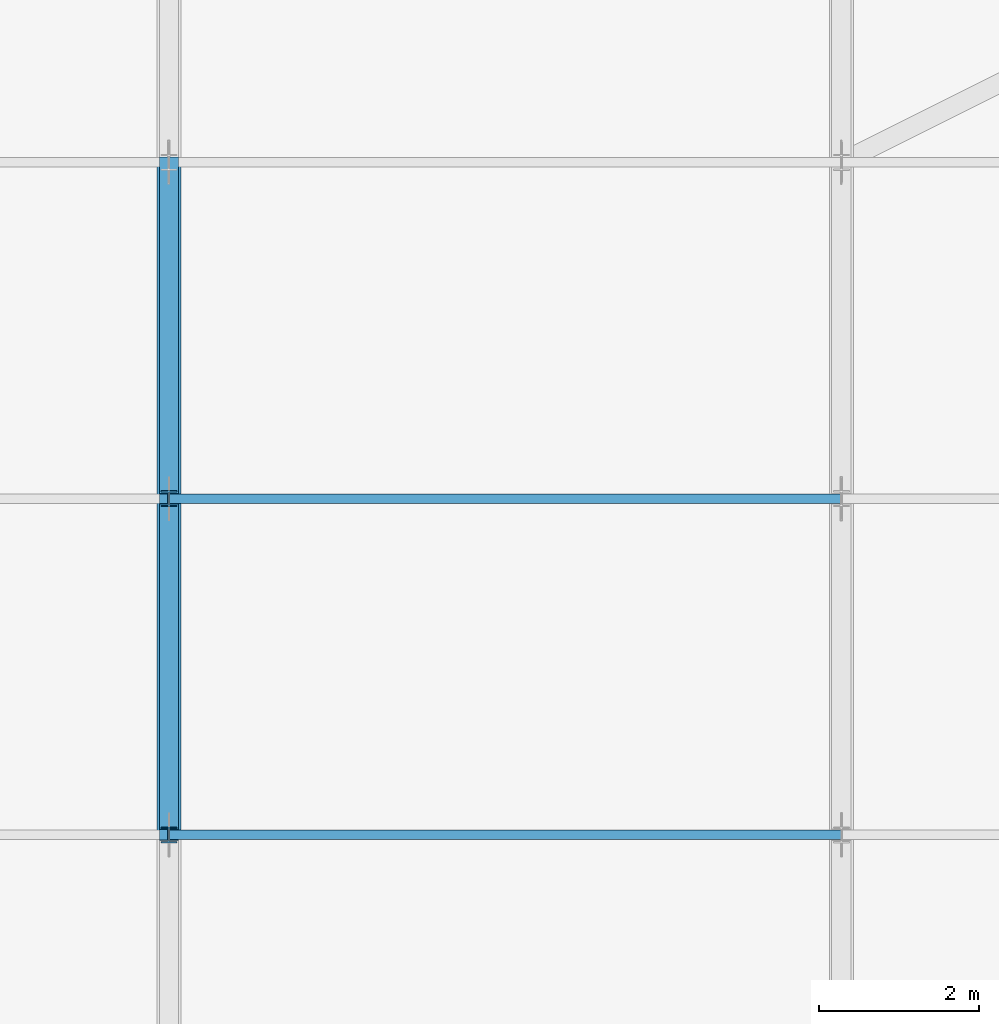
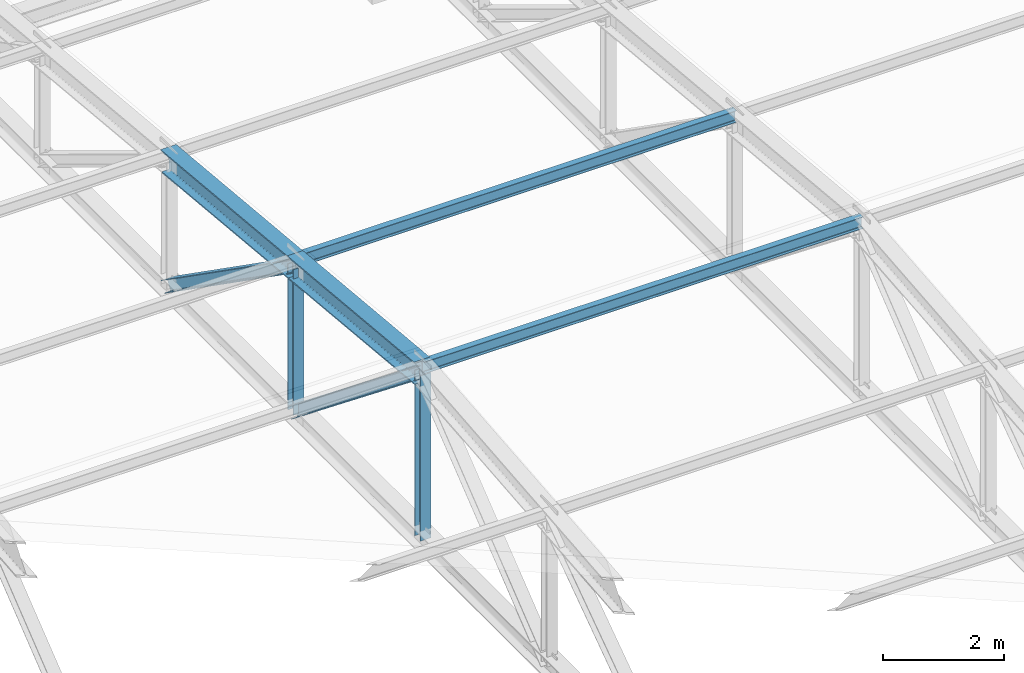
# One storey, part 22 of 74: 6 members, 2 beams.
"""IFC4 building model written with IfcOpenShell, lengths in metres."""

from ifc_helpers import new_model, si_unit, derived_unit, direction, frame, origin, origin_2d, place, context, subcontext, project, spatial, i_section, extrude, material, material_profile, profile_set, type_object, element, save


model = new_model("IFC4")

# Units and contexts
model_context = context("Model", 3, precision=1e-05, world=origin(), true_north=direction((0.0, 1.0)))
body_context = subcontext(model_context, "Body", "Model", "MODEL_VIEW")
ifc_project = project(units=[si_unit("LENGTHUNIT", "METRE"), si_unit("AREAUNIT", "SQUARE_METRE"), si_unit("VOLUMEUNIT", "CUBIC_METRE"), si_unit("PLANEANGLEUNIT", "RADIAN"), si_unit("MASSUNIT", "GRAM", prefix="KILO"), derived_unit("THERMALTRANSMITTANCEUNIT", [(si_unit("POWERUNIT", "WATT"), 1), (si_unit("LENGTHUNIT", "METRE"), -2), (si_unit("THERMODYNAMICTEMPERATUREUNIT", "KELVIN"), -1)])], contexts=[model_context])

# Site, building, storey
site_placement = place(None, origin())
site = spatial("IfcSite", under=ifc_project, at=site_placement, CompositionType="ELEMENT")
building_placement = place(site_placement, origin())
building = spatial("IfcBuilding", under=site, at=building_placement, Name="Elbkamm Science Centre", CompositionType="ELEMENT")
storey_placement = place(building_placement, frame((0.0, 0.0, 14.39990234375)))
storey = spatial("IfcBuildingStorey", under=building, at=storey_placement, Name="L03", CompositionType="ELEMENT", Elevation=14.39990234375)

# Beams
ifc_material = material(Name="Steel EN 10025-2 S355J2", Category="steel")
ifc_material_profile_1 = material_profile(ifc_material, i_section(OverallWidth=0.300048828125, OverallDepth=0.449951171875, WebThickness=0.013916015625, FlangeThickness=0.02587890625, FilletRadius=0.027099609375, at=origin_2d()), Name="HEB 450")
ifc_profile_set_1 = profile_set([ifc_material_profile_1], Name="Steel EN 10025-2 S355J2")
beam_type = type_object("IfcBeamType", Name="BM-STL-HEB450", PredefinedType="BEAM", material=ifc_profile_set_1)
for number, where, z_axis, x_axis, name in (
    (1, (100.800048828125, 16.800048828125, 4.7451171875), (0.0, 0.995562844443, -0.094099005119), (-1.0, 0.0, 0.0), "Theatre Steel Truss 05 Top Chord 5"),
    (2, (100.800048828125, 21.0, 4.34814453125), (0.0, 0.995562844443, -0.094099005119), (-1.0, 0.0, 0.0), "Theatre Steel Truss 05 Top Chord 6"),
):
    element("IfcBeam", number, at=place(storey_placement, frame(where, z_axis=z_axis, x_axis=x_axis)), inside=storey, type_object=beam_type, Name=name, PredefinedType="BEAM", context=body_context, shape_type="SweptSolid", body=[
        extrude(i_section(OverallWidth=0.300048828125, OverallDepth=0.449951171875, WebThickness=0.013916015625, FlangeThickness=0.02587890625, FilletRadius=0.027099609375, at=origin_2d()), origin(), (0.0, 0.0, 1.0), 4.21875),
    ])

# Members
ifc_material_profile_2 = material_profile(ifc_material, i_section(OverallWidth=0.239990234375, OverallDepth=0.22998046875, WebThickness=0.007568359375, FlangeThickness=0.011962890625, FilletRadius=0.02099609375, at=origin_2d()), Name="HEA 240")
ifc_profile_set_2 = profile_set([ifc_material_profile_2], Name="Steel EN 10025-2 S355J2")
member_type_1 = type_object("IfcMemberType", Name="MEM-BRACE-HEA240", PredefinedType="BRACE", material=ifc_profile_set_2)
member_1_placement = place(storey_placement, frame((100.800048828125, 16.800048828125, 4.7451171875), z_axis=(0.0, 0.782228850419, -0.62299119221), x_axis=(-1.0, 0.0, 0.0)))
element("IfcMember", 3, at=member_1_placement, inside=storey, type_object=member_type_1, Name="Theatre Steel Truss 05 Diagonal Brace 5", PredefinedType="BRACE", context=body_context, shape_type="SweptSolid", body=[
    extrude(i_section(OverallWidth=0.239990234375, OverallDepth=0.22998046875, WebThickness=0.007568359375, FlangeThickness=0.011962890625, FilletRadius=0.02099609375, at=origin_2d()), origin(), (0.0, 0.0, 1.0), 5.369140625),
])
member_2_placement = place(storey_placement, frame((100.800048828125, 21.0, 4.34814453125), z_axis=(0.0, 0.818495853112, -0.574512435408), x_axis=(-1.0, 0.0, 0.0)))
element("IfcMember", 4, at=member_2_placement, inside=storey, type_object=member_type_1, Name="Theatre Steel Truss 05 Diagonal Brace 6", PredefinedType="BRACE", context=body_context, shape_type="SweptSolid", body=[
    extrude(i_section(OverallWidth=0.239990234375, OverallDepth=0.22998046875, WebThickness=0.007568359375, FlangeThickness=0.011962890625, FilletRadius=0.02099609375, at=origin_2d()), origin(), (0.0, 0.0, 1.0), 5.13134765625),
])
ifc_material_profile_3 = material_profile(ifc_material, i_section(OverallWidth=0.1201171875, OverallDepth=0.239990234375, WebThickness=0.006103515625, FlangeThickness=0.009765625, FilletRadius=0.014892578125, at=origin_2d()), Name="IPE 240")
ifc_profile_set_3 = profile_set([ifc_material_profile_3], Name="Steel EN 10025-2 S355J2")
member_type_2 = type_object("IfcMemberType", Name="MEM-PURLIN-IPE240", PredefinedType="PURLIN", material=ifc_profile_set_3)
for number, where, z_axis, x_axis, name in (
    (5, (100.800048828125, 16.800048828125, 4.84521484375), (1.0, 0.0, 0.0), (0.0, 1.0, 0.0), "Theatre Roof Purlin Bay 5-5"),
    (6, (100.800048828125, 21.0, 4.447998046875), (1.0, 0.0, 0.0), (0.0, 1.0, 0.0), "Theatre Roof Purlin Bay 5-6"),
):
    element("IfcMember", number, at=place(storey_placement, frame(where, z_axis=z_axis, x_axis=x_axis)), inside=storey, type_object=member_type_2, Name=name, PredefinedType="PURLIN", context=body_context, shape_type="SweptSolid", body=[
        extrude(i_section(OverallWidth=0.1201171875, OverallDepth=0.239990234375, WebThickness=0.006103515625, FlangeThickness=0.009765625, FilletRadius=0.014892578125, at=origin_2d()), origin(), (0.0, 0.0, 1.0), 8.39990234375),
    ])
ifc_material_profile_4 = material_profile(ifc_material, i_section(OverallWidth=0.199951171875, OverallDepth=0.199951171875, WebThickness=0.009033203125, FlangeThickness=0.014892578125, FilletRadius=0.01806640625, at=origin_2d()), Name="HEB 200")
ifc_profile_set_4 = profile_set([ifc_material_profile_4], Name="Steel EN 10025-2 S355J2")
member_type_3 = type_object("IfcMemberType", Name="MEM-STRUT-HEB200", PredefinedType="STRUT", material=ifc_profile_set_4)
member_3_placement = place(storey_placement, frame((100.800048828125, 16.800048828125, 1.400146484375), z_axis=(0.0, 0.0, 1.0), x_axis=(1.0, 0.0, 0.0)))
element("IfcMember", 7, at=member_3_placement, inside=storey, type_object=member_type_3, Name="Theatre Steel Truss 05 Vertical Strut 5", PredefinedType="STRUT", context=body_context, shape_type="SweptSolid", body=[
    extrude(i_section(OverallWidth=0.199951171875, OverallDepth=0.199951171875, WebThickness=0.009033203125, FlangeThickness=0.014892578125, FilletRadius=0.01806640625, at=origin_2d()), origin(), (0.0, 0.0, 1.0), 3.344970703125),
])
member_4_placement = place(storey_placement, frame((100.800048828125, 21.0, 1.400146484375), z_axis=(0.0, 0.0, 1.0), x_axis=(1.0, 0.0, 0.0)))
element("IfcMember", 8, at=member_4_placement, inside=storey, type_object=member_type_3, Name="Theatre Steel Truss 05 Vertical Strut 6", PredefinedType="STRUT", context=body_context, shape_type="SweptSolid", body=[
    extrude(i_section(OverallWidth=0.199951171875, OverallDepth=0.199951171875, WebThickness=0.009033203125, FlangeThickness=0.014892578125, FilletRadius=0.01806640625, at=origin_2d()), origin(), (0.0, 0.0, 1.0), 2.947998046875),
])

save(model, "model.ifc")
